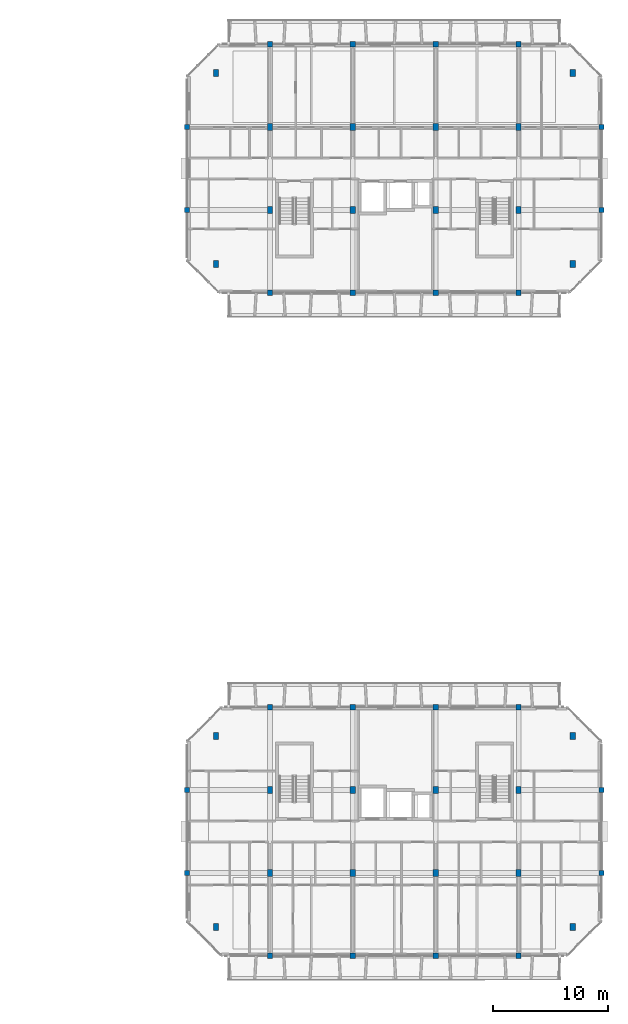
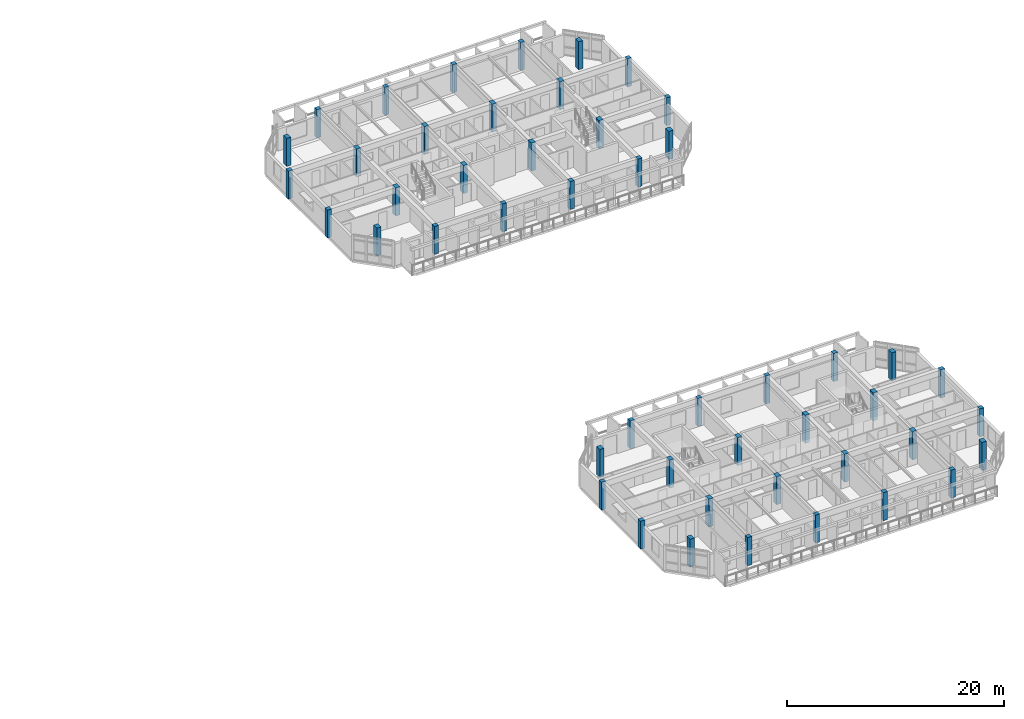
# One storey, part 3 of 31: 48 columns.
"""IFC4 building model written with IfcOpenShell, lengths in metres."""

from ifc_helpers import new_model, si_unit, direction, frame, origin, origin_2d, place, context, subcontext, project, spatial, rectangle, extrude, material, material_profile, profile_set, type_object, element, save


model = new_model("IFC4")

# Units and contexts
model_context = context("Model", 3, precision=1e-05, world=origin(), true_north=direction((0.0, 1.0)))
body_context = subcontext(model_context, "Body", "Model", "MODEL_VIEW")
ifc_project = project(units=[si_unit("LENGTHUNIT", "METRE"), si_unit("AREAUNIT", "SQUARE_METRE"), si_unit("VOLUMEUNIT", "CUBIC_METRE"), si_unit("PLANEANGLEUNIT", "RADIAN"), si_unit("MASSUNIT", "GRAM", prefix="KILO")], contexts=[model_context])

# Site, building, storey
site_placement = place(None, origin())
site = spatial("IfcSite", under=ifc_project, at=site_placement, CompositionType="ELEMENT")
building_placement = place(site_placement, origin())
building = spatial("IfcBuilding", under=site, at=building_placement, Name="Ochrevale Crest", CompositionType="ELEMENT")
storey_placement = place(building_placement, frame((0.0, 0.0, 37.050048828125)))
storey = spatial("IfcBuildingStorey", under=building, at=storey_placement, Name="L11", CompositionType="ELEMENT", Elevation=37.050048828125)

# Columns
ifc_material_1 = material(Name="Precast concrete C40/50", Category="concrete")
ifc_material_profile_1 = material_profile(ifc_material_1, rectangle(XDim=0.449951171875, YDim=0.449951171875, at=origin_2d()), Name="RC 450x450")
ifc_profile_set_1 = profile_set([ifc_material_profile_1], Name="Precast concrete C40/50")
column_type_1 = type_object("IfcColumnType", Name="COL-RC450x450", PredefinedType="COLUMN", material=ifc_profile_set_1)
for number, where, z_axis, x_axis, name in (
    (1, (129.60009765625, 21.60009765625, 0.0), (0.0, 0.0, 1.0), (1.0, 0.0, 0.0), "Block C L11 column (129.6,21.6)"),
    (2, (129.60009765625, 28.800048828125, 0.0), (0.0, 0.0, 1.0), (1.0, 0.0, 0.0), "Block C L11 column (129.6,28.8)"),
    (3, (136.800048828125, 14.39990234375, 0.0), (0.0, 0.0, 1.0), (1.0, 0.0, 0.0), "Block C L11 column (136.8,14.4)"),
    (4, (136.800048828125, 36.0, 0.0), (0.0, 0.0, 1.0), (1.0, 0.0, 0.0), "Block C L11 column (136.8,36.0)"),
    (5, (144.0, 14.39990234375, 0.0), (0.0, 0.0, 1.0), (1.0, 0.0, 0.0), "Block C L11 column (144.0,14.4)"),
    (6, (144.0, 36.0, 0.0), (0.0, 0.0, 1.0), (1.0, 0.0, 0.0), "Block C L11 column (144.0,36.0)"),
    (7, (151.199951171875, 14.39990234375, 0.0), (0.0, 0.0, 1.0), (1.0, 0.0, 0.0), "Block C L11 column (151.2,14.4)"),
    (8, (151.199951171875, 36.0, 0.0), (0.0, 0.0, 1.0), (1.0, 0.0, 0.0), "Block C L11 column (151.2,36.0)"),
    (9, (158.39990234375, 14.39990234375, 0.0), (0.0, 0.0, 1.0), (1.0, 0.0, 0.0), "Block C L11 column (158.4,14.4)"),
    (10, (158.39990234375, 36.0, 0.0), (0.0, 0.0, 1.0), (1.0, 0.0, 0.0), "Block C L11 column (158.4,36.0)"),
    (11, (165.60009765625, 21.60009765625, 0.0), (0.0, 0.0, 1.0), (1.0, 0.0, 0.0), "Block C L11 column (165.6,21.6)"),
    (12, (165.60009765625, 28.800048828125, 0.0), (0.0, 0.0, 1.0), (1.0, 0.0, 0.0), "Block C L11 column (165.6,28.8)"),
    (13, (129.60009765625, 79.199951171875, 0.0), (0.0, 0.0, 1.0), (1.0, 0.0, 0.0), "Block D L11 column (129.6,79.2)"),
    (14, (129.60009765625, 86.39990234375, 0.0), (0.0, 0.0, 1.0), (1.0, 0.0, 0.0), "Block D L11 column (129.6,86.4)"),
    (15, (136.800048828125, 72.0, 0.0), (0.0, 0.0, 1.0), (1.0, 0.0, 0.0), "Block D L11 column (136.8,72.0)"),
    (16, (136.800048828125, 93.60009765625, 0.0), (0.0, 0.0, 1.0), (1.0, 0.0, 0.0), "Block D L11 column (136.8,93.6)"),
    (17, (144.0, 72.0, 0.0), (0.0, 0.0, 1.0), (1.0, 0.0, 0.0), "Block D L11 column (144.0,72.0)"),
    (18, (144.0, 93.60009765625, 0.0), (0.0, 0.0, 1.0), (1.0, 0.0, 0.0), "Block D L11 column (144.0,93.6)"),
    (19, (151.199951171875, 72.0, 0.0), (0.0, 0.0, 1.0), (1.0, 0.0, 0.0), "Block D L11 column (151.2,72.0)"),
    (20, (151.199951171875, 93.60009765625, 0.0), (0.0, 0.0, 1.0), (1.0, 0.0, 0.0), "Block D L11 column (151.2,93.6)"),
    (21, (158.39990234375, 72.0, 0.0), (0.0, 0.0, 1.0), (1.0, 0.0, 0.0), "Block D L11 column (158.4,72.0)"),
    (22, (158.39990234375, 93.60009765625, 0.0), (0.0, 0.0, 1.0), (1.0, 0.0, 0.0), "Block D L11 column (158.4,93.6)"),
    (23, (165.60009765625, 79.199951171875, 0.0), (0.0, 0.0, 1.0), (1.0, 0.0, 0.0), "Block D L11 column (165.6,79.2)"),
    (24, (165.60009765625, 86.39990234375, 0.0), (0.0, 0.0, 1.0), (1.0, 0.0, 0.0), "Block D L11 column (165.6,86.4)"),
):
    element("IfcColumn", number, at=place(storey_placement, frame(where, z_axis=z_axis, x_axis=x_axis)), inside=storey, type_object=column_type_1, Name=name, PredefinedType="COLUMN", context=body_context, shape_type="SweptSolid", body=[
        extrude(rectangle(XDim=0.449951171875, YDim=0.449951171875, at=origin_2d()), origin(), (0.0, 0.0, 1.0), 3.14990234375),
    ])
ifc_material_2 = material(Name="Precast concrete C50/60", Category="concrete")
ifc_material_profile_2 = material_profile(ifc_material_2, rectangle(XDim=0.449951171875, YDim=0.60009765625, at=origin_2d()), Name="RC 450x600")
ifc_profile_set_2 = profile_set([ifc_material_profile_2], Name="Precast concrete C50/60")
column_type_2 = type_object("IfcColumnType", Name="COL-RC450x600", PredefinedType="COLUMN", material=ifc_profile_set_2)
for number, where, z_axis, x_axis, name in (
    (25, (132.10009765625, 16.89990234375, 0.0), (0.0, 0.0, 1.0), (1.0, 0.0, 0.0), "Block C L11 column (132.1,16.9)"),
    (26, (132.10009765625, 33.5, 0.0), (0.0, 0.0, 1.0), (1.0, 0.0, 0.0), "Block C L11 column (132.1,33.5)"),
    (27, (136.800048828125, 21.60009765625, 0.0), (0.0, 0.0, 1.0), (1.0, 0.0, 0.0), "Block C L11 column (136.8,21.6)"),
    (28, (136.800048828125, 28.800048828125, 0.0), (0.0, 0.0, 1.0), (1.0, 0.0, 0.0), "Block C L11 column (136.8,28.8)"),
    (29, (144.0, 21.60009765625, 0.0), (0.0, 0.0, 1.0), (1.0, 0.0, 0.0), "Block C L11 column (144.0,21.6)"),
    (30, (144.0, 28.800048828125, 0.0), (0.0, 0.0, 1.0), (1.0, 0.0, 0.0), "Block C L11 column (144.0,28.8)"),
    (31, (151.199951171875, 21.60009765625, 0.0), (0.0, 0.0, 1.0), (1.0, 0.0, 0.0), "Block C L11 column (151.2,21.6)"),
    (32, (151.199951171875, 28.800048828125, 0.0), (0.0, 0.0, 1.0), (1.0, 0.0, 0.0), "Block C L11 column (151.2,28.8)"),
    (33, (158.39990234375, 21.60009765625, 0.0), (0.0, 0.0, 1.0), (1.0, 0.0, 0.0), "Block C L11 column (158.4,21.6)"),
    (34, (158.39990234375, 28.800048828125, 0.0), (0.0, 0.0, 1.0), (1.0, 0.0, 0.0), "Block C L11 column (158.4,28.8)"),
    (35, (163.10009765625, 16.89990234375, 0.0), (0.0, 0.0, 1.0), (1.0, 0.0, 0.0), "Block C L11 column (163.1,16.9)"),
    (36, (163.10009765625, 33.5, 0.0), (0.0, 0.0, 1.0), (1.0, 0.0, 0.0), "Block C L11 column (163.1,33.5)"),
    (37, (132.10009765625, 74.5, 0.0), (0.0, 0.0, 1.0), (1.0, 0.0, 0.0), "Block D L11 column (132.1,74.5)"),
    (38, (132.10009765625, 91.10009765625, 0.0), (0.0, 0.0, 1.0), (1.0, 0.0, 0.0), "Block D L11 column (132.1,91.1)"),
    (39, (136.800048828125, 79.199951171875, 0.0), (0.0, 0.0, 1.0), (1.0, 0.0, 0.0), "Block D L11 column (136.8,79.2)"),
    (40, (136.800048828125, 86.39990234375, 0.0), (0.0, 0.0, 1.0), (1.0, 0.0, 0.0), "Block D L11 column (136.8,86.4)"),
    (41, (144.0, 79.199951171875, 0.0), (0.0, 0.0, 1.0), (1.0, 0.0, 0.0), "Block D L11 column (144.0,79.2)"),
    (42, (144.0, 86.39990234375, 0.0), (0.0, 0.0, 1.0), (1.0, 0.0, 0.0), "Block D L11 column (144.0,86.4)"),
    (43, (151.199951171875, 79.199951171875, 0.0), (0.0, 0.0, 1.0), (1.0, 0.0, 0.0), "Block D L11 column (151.2,79.2)"),
    (44, (151.199951171875, 86.39990234375, 0.0), (0.0, 0.0, 1.0), (1.0, 0.0, 0.0), "Block D L11 column (151.2,86.4)"),
    (45, (158.39990234375, 79.199951171875, 0.0), (0.0, 0.0, 1.0), (1.0, 0.0, 0.0), "Block D L11 column (158.4,79.2)"),
    (46, (158.39990234375, 86.39990234375, 0.0), (0.0, 0.0, 1.0), (1.0, 0.0, 0.0), "Block D L11 column (158.4,86.4)"),
    (47, (163.10009765625, 74.5, 0.0), (0.0, 0.0, 1.0), (1.0, 0.0, 0.0), "Block D L11 column (163.1,74.5)"),
    (48, (163.10009765625, 91.10009765625, 0.0), (0.0, 0.0, 1.0), (1.0, 0.0, 0.0), "Block D L11 column (163.1,91.1)"),
):
    element("IfcColumn", number, at=place(storey_placement, frame(where, z_axis=z_axis, x_axis=x_axis)), inside=storey, type_object=column_type_2, Name=name, PredefinedType="COLUMN", context=body_context, shape_type="SweptSolid", body=[
        extrude(rectangle(XDim=0.449951171875, YDim=0.60009765625, at=origin_2d()), origin(), (0.0, 0.0, 1.0), 3.14990234375),
    ])

save(model, "model.ifc")
